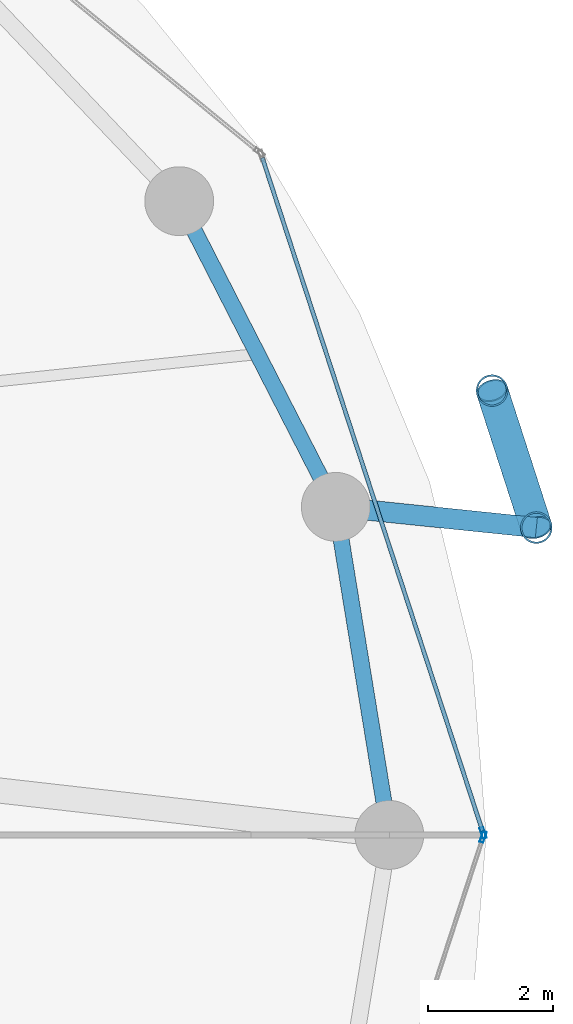
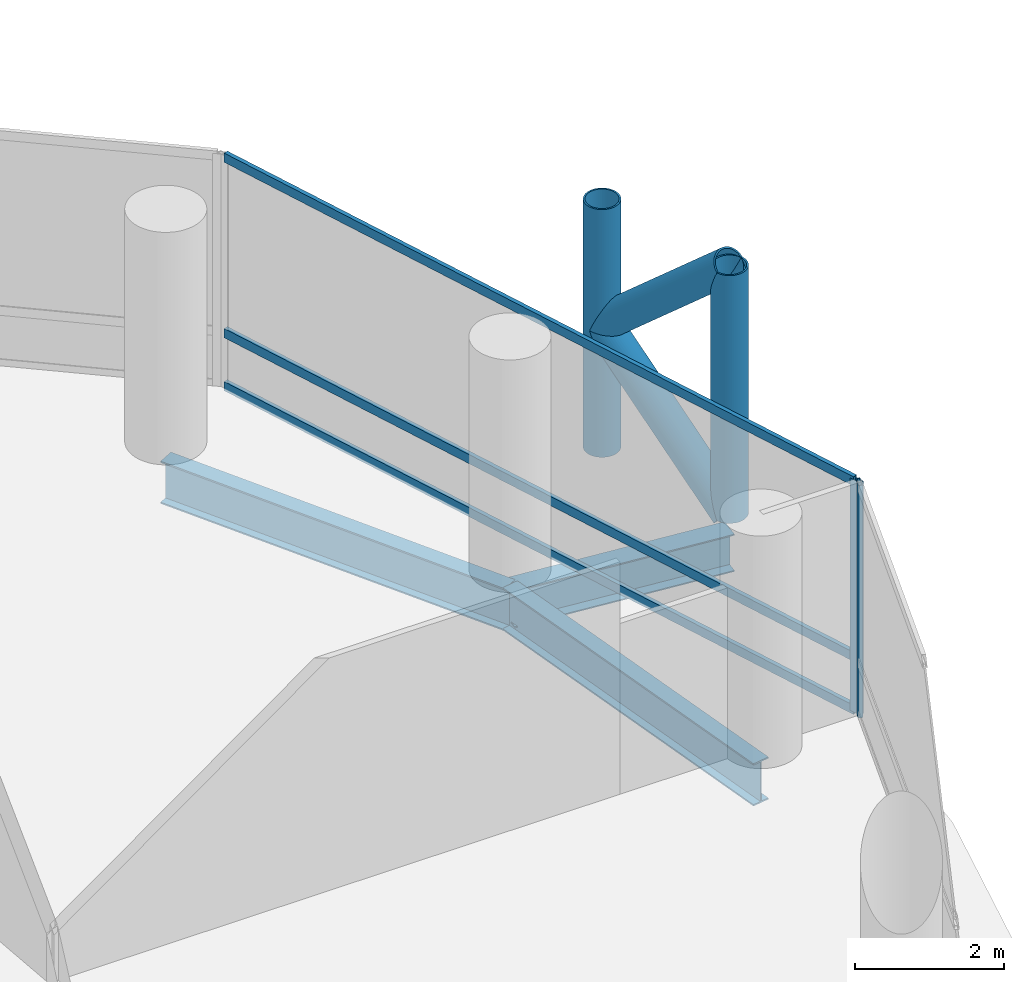
# One storey, part 12 of 25: 9 members, 3 beams, 2 elements without a shape of their own.
"""IFC4 building model written with IfcOpenShell, lengths in metres."""

from ifc_helpers import new_model, si_unit, direction, frame, origin, origin_2d, place, context, subcontext, project, spatial, hollow_rectangle, hollow_circle, i_section, extrude, material, layer, layer_set, material_profile, profile_set, type_object, element, aggregate, save


model = new_model("IFC4")

# Units and contexts
model_context = context("Model", 3, precision=1e-05, world=origin(), true_north=direction((0.0, 1.0)))
body_context = subcontext(model_context, "Body", "Model", "MODEL_VIEW")
ifc_project = project(units=[si_unit("LENGTHUNIT", "METRE"), si_unit("AREAUNIT", "SQUARE_METRE"), si_unit("VOLUMEUNIT", "CUBIC_METRE"), si_unit("PLANEANGLEUNIT", "RADIAN"), si_unit("MASSUNIT", "GRAM", prefix="KILO")], contexts=[model_context])

# Site, building, storey
site_placement = place(None, origin())
site = spatial("IfcSite", under=ifc_project, at=site_placement, CompositionType="ELEMENT")
building_placement = place(site_placement, origin())
building = spatial("IfcBuilding", under=site, at=building_placement, Name="Nuhasar Tower", CompositionType="ELEMENT")
storey_placement = place(building_placement, frame((0.0, 0.0, 61.5)))
storey = spatial("IfcBuildingStorey", under=building, at=storey_placement, Name="L14", CompositionType="ELEMENT", Elevation=61.5)

# Beams
ifc_material_1 = material(Name="Steel S355", Category="steel")
ifc_material_profile_1 = material_profile(ifc_material_1, i_section(OverallWidth=0.256103515625, OverallDepth=0.693115234375, WebThickness=0.014404296875, FlangeThickness=0.023681640625, at=origin_2d()), Name="W27X114")
ifc_profile_set_1 = profile_set([ifc_material_profile_1], Name="Steel S355")
beam_type_1 = type_object("IfcBeamType", Name="BM-RING-W27X114", PredefinedType="SPANDREL", material=ifc_profile_set_1)
beam_1_placement = place(storey_placement, frame((64.050048828125, 26.800048828125, -0.595947265625), z_axis=(-0.160826635486, 0.986982671235, 0.0), x_axis=(-0.986982671235, -0.160826635486, 0.0)))
element("IfcBeam", 1, at=beam_1_placement, inside=storey, type_object=beam_type_1, Name="L14 Perimeter Ring Spandrel 01", PredefinedType="SPANDREL", context=body_context, shape_type="SweptSolid", body=[
    extrude(i_section(OverallWidth=0.256103515625, OverallDepth=0.693115234375, WebThickness=0.014404296875, FlangeThickness=0.023681640625, at=origin_2d()), origin(), (0.0, 0.0, 1.0), 5.31005859375),
])
beam_2_placement = place(storey_placement, frame((63.196044921875, 32.041015625, -0.595947265625), z_axis=(-0.455930023905, 0.890015625314, 0.0), x_axis=(-0.890015625314, -0.455930023905, 0.0)))
element("IfcBeam", 2, at=beam_2_placement, inside=storey, type_object=beam_type_1, Name="L14 Perimeter Ring Spandrel 02", PredefinedType="SPANDREL", context=body_context, shape_type="SweptSolid", body=[
    extrude(i_section(OverallWidth=0.256103515625, OverallDepth=0.693115234375, WebThickness=0.014404296875, FlangeThickness=0.023681640625, at=origin_2d()), origin(), (0.0, 0.0, 1.0), 5.487548828125),
])
ifc_material_profile_2 = material_profile(ifc_material_1, i_section(OverallWidth=0.323974609375, OverallDepth=0.611083984375, WebThickness=0.0126953125, FlangeThickness=0.01904296875, at=origin_2d()), Name="W24X104")
ifc_profile_set_2 = profile_set([ifc_material_profile_2], Name="Steel S355")
beam_type_2 = type_object("IfcBeamType", Name="BM-TIE-W24X104", PredefinedType="BEAM", material=ifc_profile_set_2)
beam_3_placement = place(storey_placement, frame((63.196044921875, 32.041015625, -0.555908203125), z_axis=(0.994703825606, -0.102782777377, 0.0), x_axis=(0.102782777377, 0.994703825606, 0.0)))
element("IfcBeam", 3, at=beam_3_placement, inside=storey, type_object=beam_type_2, Name="L14 Exoskeleton Node Tie Beam 01", PredefinedType="BEAM", context=body_context, shape_type="SweptSolid", body=[
    extrude(i_section(OverallWidth=0.323974609375, OverallDepth=0.611083984375, WebThickness=0.0126953125, FlangeThickness=0.01904296875, at=origin_2d()), origin(), (0.0, 0.0, 1.0), 3.220947265625),
])

# Curtain wall, member
ifc_material_2 = material(Name="Aluminium 6063-T6", Category="aluminium")
ifc_layer = layer(ifc_material_2, 0.199951171875)
ifc_layer_set = layer_set([ifc_layer], Name="Aluminium 6063-T6")
curtain_wall_type = type_object("IfcCurtainWallType", Name="CW-Z1-OFF", PredefinedType="NOTDEFINED", material=ifc_layer_set)
curtain_wall_1_placement = place(storey_placement, origin())
curtain_wall_1 = element("IfcCurtainWall", 4, at=curtain_wall_1_placement, inside=storey, type_object=curtain_wall_type, Name="L14 Unitised Curtain Wall 01", PredefinedType="NOTDEFINED")
ifc_material_profile_3 = material_profile(ifc_material_2, hollow_rectangle(XDim=0.06494140625, YDim=0.179931640625, WallThickness=0.0048828125, at=origin_2d()), Name="CWM-2")
ifc_profile_set_3 = profile_set([ifc_material_profile_3], Name="Aluminium 6063-T6")
member_type_1 = type_object("IfcMemberType", Name="CW-MUL-S2", PredefinedType="MULLION", material=ifc_profile_set_3)
member_1_placement = place(storey_placement, frame((65.5498046875, 26.830810546875, 0.0), z_axis=(0.0, 0.0, 1.0), x_axis=(-0.950467534571, -0.310823849997, 0.0)))
member_1 = element("IfcMember", 5, at=member_1_placement, type_object=member_type_1, Name="CW-Z1 mullion 1", PredefinedType="MULLION", context=body_context, shape_type="SweptSolid", body=[
    extrude(hollow_rectangle(XDim=0.06494140625, YDim=0.179931640625, WallThickness=0.0048828125, at=origin_2d()), origin(), (0.0, 0.0, 1.0), 3.800048828125),
])

curtain_wall_2_placement = place(storey_placement, origin())
curtain_wall_2 = element("IfcCurtainWall", 6, at=curtain_wall_2_placement, inside=storey, type_object=curtain_wall_type, Name="L14 Unitised Curtain Wall 12", PredefinedType="NOTDEFINED")
member_2_placement = place(storey_placement, frame((65.5498046875, 26.76904296875, 0.0), z_axis=(0.0, 0.0, 1.0), x_axis=(-0.950467534571, 0.310823849997, 0.0)))
member_2 = element("IfcMember", 7, at=member_2_placement, type_object=member_type_1, Name="CW-Z1 mullion 2", PredefinedType="MULLION", context=body_context, shape_type="SweptSolid", body=[
    extrude(hollow_rectangle(XDim=0.06494140625, YDim=0.179931640625, WallThickness=0.0048828125, at=origin_2d()), origin(), (0.0, 0.0, 1.0), 3.800048828125),
])
aggregate(curtain_wall_2, [member_2])

# Member
ifc_material_profile_4 = material_profile(ifc_material_2, hollow_rectangle(XDim=0.06494140625, YDim=0.14990234375, WallThickness=0.00439453125, at=origin_2d()), Name="CWT-2")
ifc_profile_set_4 = profile_set([ifc_material_profile_4], Name="Aluminium 6063-T6")
member_type_2 = type_object("IfcMemberType", Name="CW-TRN-S2", PredefinedType="USERDEFINED", material=ifc_profile_set_4)
member_3_placement = place(storey_placement, frame((65.539794921875, 26.86181640625, 0.032470703125), z_axis=(-0.31082506089, 0.950467138581, 0.0), x_axis=(-0.950467138581, -0.31082506089, 0.0)))
member_3 = element("IfcMember", 8, at=member_3_placement, type_object=member_type_2, Name="CW-Z1 transom 1.1", ObjectType="TRANSOM", PredefinedType="USERDEFINED", context=body_context, shape_type="SweptSolid", body=[
    extrude(hollow_rectangle(XDim=0.06494140625, YDim=0.14990234375, WallThickness=0.00439453125, at=origin_2d()), origin(), (0.0, 0.0, 1.0), 11.31689453125),
])

member_4_placement = place(storey_placement, frame((65.539794921875, 26.86181640625, 0.89990234375), z_axis=(-0.31082506089, 0.950467138581, 0.0), x_axis=(-0.950467138581, -0.31082506089, 0.0)))
member_4 = element("IfcMember", 9, at=member_4_placement, type_object=member_type_2, Name="CW-Z1 transom 1.2", ObjectType="TRANSOM", PredefinedType="USERDEFINED", context=body_context, shape_type="SweptSolid", body=[
    extrude(hollow_rectangle(XDim=0.06494140625, YDim=0.14990234375, WallThickness=0.00439453125, at=origin_2d()), origin(), (0.0, 0.0, 1.0), 11.31689453125),
])

member_5_placement = place(storey_placement, frame((65.539794921875, 26.86181640625, 3.767578125), z_axis=(-0.31082506089, 0.950467138581, 0.0), x_axis=(-0.950467138581, -0.31082506089, 0.0)))
member_5 = element("IfcMember", 10, at=member_5_placement, type_object=member_type_2, Name="CW-Z1 transom 1.3", ObjectType="TRANSOM", PredefinedType="USERDEFINED", context=body_context, shape_type="SweptSolid", body=[
    extrude(hollow_rectangle(XDim=0.06494140625, YDim=0.14990234375, WallThickness=0.00439453125, at=origin_2d()), origin(), (0.0, 0.0, 1.0), 11.31689453125),
])

aggregate(curtain_wall_1, [member_1, member_3, member_4, member_5])

# Members
ifc_material_3 = material(Name="Steel S460", Category="steel")
ifc_material_profile_5 = material_profile(ifc_material_3, hollow_circle(Radius=0.25390625, WallThickness=0.025390625, at=origin_2d()), Name="HSS508X25.4")
ifc_profile_set_5 = profile_set([ifc_material_profile_5], Name="Steel S460")
member_type_3 = type_object("IfcMemberType", Name="EXO-BRONZE-508", PredefinedType="BRACE", material=ifc_profile_set_5)
for number, where, z_axis, x_axis, name in (
    (11, (66.39990234375, 31.7099609375, 0.0), (0.0, 0.0, 1.0), (1.0, 0.0, 0.0), "L14 Exoskeleton Chord Column EC-01A"),
    (12, (65.69189453125, 33.89892578125, 0.0), (0.0, 0.0, 1.0), (1.0, 0.0, 0.0), "L14 Exoskeleton Chord Column EC-01B"),
):
    element("IfcMember", number, at=place(storey_placement, frame(where, z_axis=z_axis, x_axis=x_axis)), inside=storey, type_object=member_type_3, Name=name, PredefinedType="BRACE", context=body_context, shape_type="SweptSolid", body=[
        extrude(hollow_circle(Radius=0.25390625, WallThickness=0.025390625, at=origin_2d()), origin(), (0.0, 0.0, 1.0), 4.050048828125),
    ])
member_6_placement = place(storey_placement, frame((66.39990234375, 31.7099609375, 0.0), z_axis=(-0.231011836313, 0.714224870475, 0.660693851854), x_axis=(-0.951468282519, -0.307746823478, 0.0)))
element("IfcMember", 13, at=member_6_placement, inside=storey, type_object=member_type_3, Name="L14 Bronze Diagrid Brace W1-01", PredefinedType="BRACE", context=body_context, shape_type="SweptSolid", body=[
    extrude(hollow_circle(Radius=0.25390625, WallThickness=0.025390625, at=origin_2d()), origin(), (0.0, 0.0, 1.0), 3.064697265625),
])
member_7_placement = place(storey_placement, frame((65.69189453125, 33.89892578125, 2.02490234375), z_axis=(0.230999678299, -0.714187281251, 0.660738734997), x_axis=(0.951468282519, 0.307746823478, 0.0)))
element("IfcMember", 14, at=member_7_placement, inside=storey, type_object=member_type_3, Name="L14 Bronze Diagrid Brace W2-01", PredefinedType="BRACE", context=body_context, shape_type="SweptSolid", body=[
    extrude(hollow_circle(Radius=0.25390625, WallThickness=0.025390625, at=origin_2d()), origin(), (0.0, 0.0, 1.0), 3.06494140625),
])

save(model, "model.ifc")
